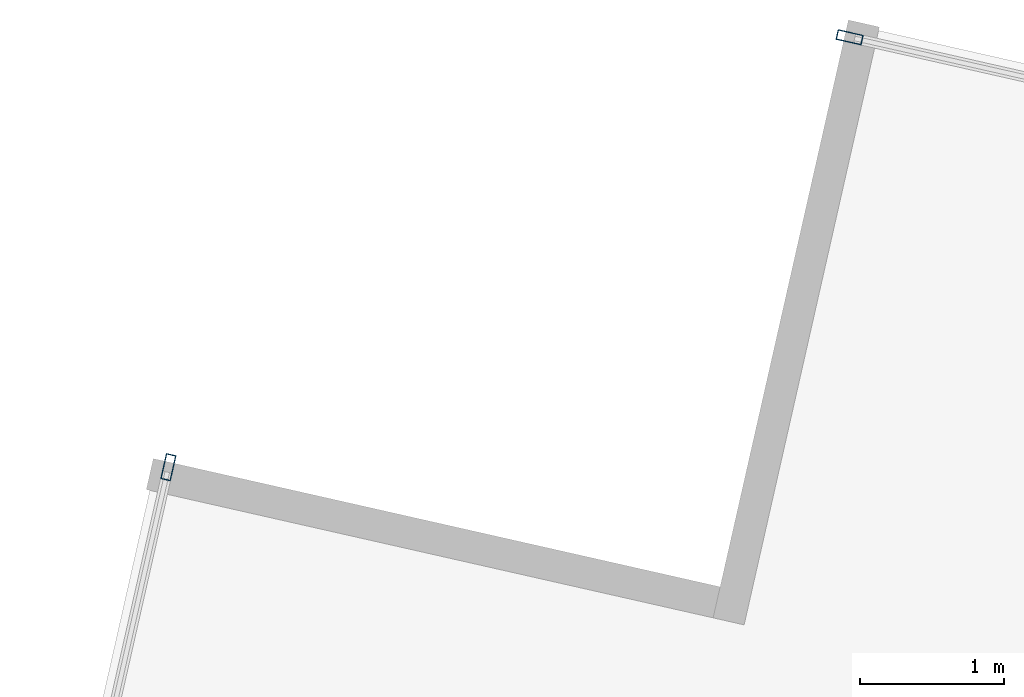
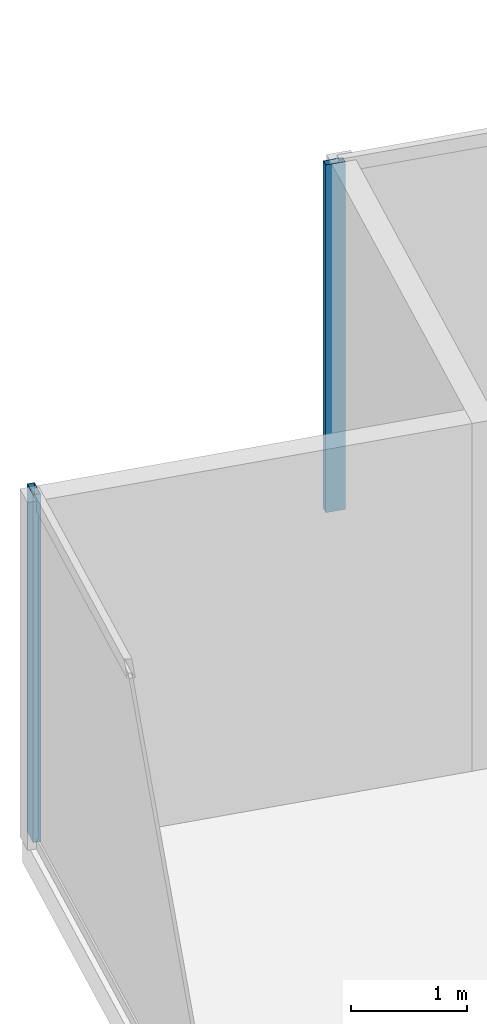
# One storey, part 17 of 26: 2 members, 2 elements without a shape of their own.
"""IFC4 building model written with IfcOpenShell, lengths in metres."""

from ifc_helpers import new_model, si_unit, direction, frame, origin, origin_2d, place, context, subcontext, project, spatial, hollow_rectangle, extrude, source, transform, mapped, material, material_profile, profile_set, type_object, type_shapes, element, aggregate, save


model = new_model("IFC4")

# Units and contexts
model_context = context("Model", 3, precision=1e-05, world=origin(), true_north=direction((0.0, 1.0)))
body_context = subcontext(model_context, "Body", "Model", "MODEL_VIEW")
ifc_project = project(units=[si_unit("LENGTHUNIT", "METRE"), si_unit("AREAUNIT", "SQUARE_METRE"), si_unit("VOLUMEUNIT", "CUBIC_METRE"), si_unit("PLANEANGLEUNIT", "RADIAN"), si_unit("MASSUNIT", "GRAM", prefix="KILO")], contexts=[model_context])

# Site, building, storey
site_placement = place(None, origin())
site = spatial("IfcSite", under=ifc_project, at=site_placement, CompositionType="ELEMENT")
building_placement = place(site_placement, origin())
building = spatial("IfcBuilding", under=site, at=building_placement, Name="Krantzveldt Concourse Tower", CompositionType="ELEMENT")
storey_placement = place(building_placement, frame((0.0, 0.0, 94.0)))
storey = spatial("IfcBuildingStorey", under=building, at=storey_placement, Name="L22", CompositionType="ELEMENT", Elevation=94.0)

# Curtain wall, member
ifc_material = material(Name="Anodised aluminium 6063-T6", Category="aluminium")
curtain_wall_type = type_object("IfcCurtainWallType", Name="CW2", PredefinedType="USERDEFINED", material=ifc_material)
curtain_wall_1_placement = place(storey_placement, origin())
curtain_wall_1 = element("IfcCurtainWall", 1, at=curtain_wall_1_placement, inside=storey, type_object=curtain_wall_type, Name="CW-L22-F01", ObjectType="UNITISED CURTAIN WALL", PredefinedType="USERDEFINED")
ifc_material_profile = material_profile(ifc_material, hollow_rectangle(XDim=0.070068359375, YDim=0.179931640625, WallThickness=0.0048828125, at=origin_2d()), Name="Anodised aluminium 6063-T6", Category="aluminium")
ifc_profile_set = profile_set([ifc_material_profile], Name="Anodised aluminium 6063-T6 - ALU-MULL 180x70x5")
member_type = type_object("IfcMemberType", Name="CW-MUL-180", PredefinedType="MULLION", material=ifc_profile_set)
shared_shape = source(origin(), body_context, "Body", "SweptSolid", [
    extrude(hollow_rectangle(XDim=0.070068359375, YDim=0.179931640625, WallThickness=0.0048828125, at=origin_2d()), origin(), (0.0, 0.0, 1.0), 3.669921875),
])
type_shapes(member_type, [shared_shape])
member_1_placement = place(storey_placement, frame((17.53857421875, 50.73193359375, 0.0), z_axis=(0.0, 0.0, 1.0), x_axis=(0.975342320609, -0.220697434579, 0.0)))
member_1 = element("IfcMember", 2, at=member_1_placement, type_object=member_type, Name="CW-Z12 mullion 1", PredefinedType="MULLION", context=body_context, shape_type="MappedRepresentation", body=[
    mapped(shared_shape, transform((0.0, 0.0, 0.0), x_axis=(1.0, 0.0, 0.0), y_axis=(0.0, 1.0, 0.0), z_axis=(0.0, 0.0, 1.0), scale=1.0)),
])
aggregate(curtain_wall_1, [member_1])

curtain_wall_2_placement = place(storey_placement, origin())
curtain_wall_2 = element("IfcCurtainWall", 3, at=curtain_wall_2_placement, inside=storey, type_object=curtain_wall_type, Name="CW-L22-F10", ObjectType="UNITISED CURTAIN WALL", PredefinedType="USERDEFINED")
member_2_placement = place(storey_placement, frame((22.2568359375, 53.708984375, 0.0), z_axis=(0.0, 0.0, 1.0), x_axis=(-0.220697434579, -0.975342320609, 0.0)))
member_2 = element("IfcMember", 4, at=member_2_placement, type_object=member_type, Name="CW-Z12 mullion 7", PredefinedType="MULLION", context=body_context, shape_type="MappedRepresentation", body=[
    mapped(shared_shape, transform((0.0, 0.0, 0.0), x_axis=(1.0, 0.0, 0.0), y_axis=(0.0, 1.0, 0.0), z_axis=(0.0, 0.0, 1.0), scale=1.0)),
])
aggregate(curtain_wall_2, [member_2])

save(model, "model.ifc")
